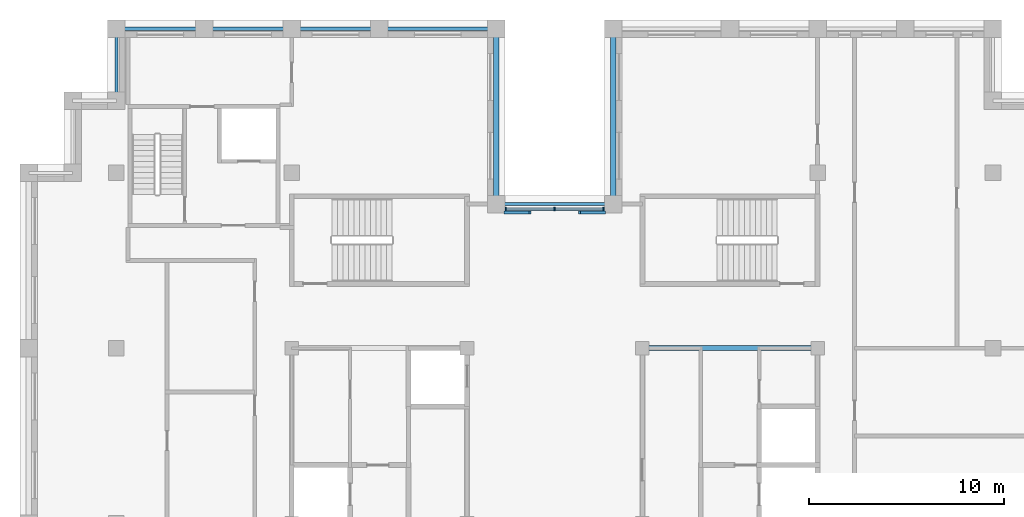
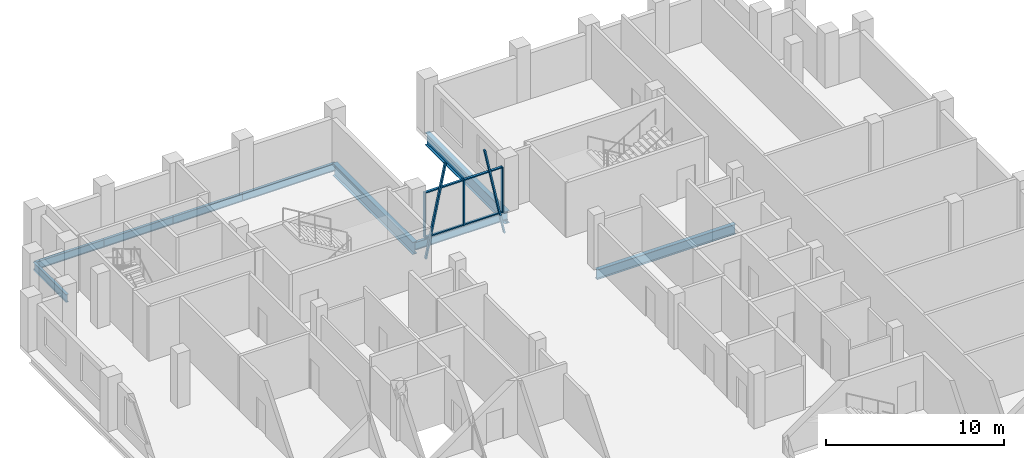
# One storey, part 4 of 13: 9 beams, 9 members, 1 element without a shape of its own.
"""IFC4 building model written with IfcOpenShell, lengths in metres."""

from ifc_helpers import new_model, si_unit, direction, frame, origin, origin_2d, place, context, subcontext, project, spatial, rectangle, i_section, extrude, material, layer, layer_set, material_profile, profile_set, type_object, element, aggregate, save


model = new_model("IFC4")

# Units and contexts
model_context = context("Model", 3, precision=1e-05, world=origin(), true_north=direction((0.0, 1.0)))
body_context = subcontext(model_context, "Body", "Model", "MODEL_VIEW")
ifc_project = project(units=[si_unit("LENGTHUNIT", "METRE"), si_unit("AREAUNIT", "SQUARE_METRE"), si_unit("VOLUMEUNIT", "CUBIC_METRE"), si_unit("PLANEANGLEUNIT", "RADIAN"), si_unit("MASSUNIT", "GRAM", prefix="KILO")], contexts=[model_context])

# Site, building, storey
site_placement = place(None, origin())
site = spatial("IfcSite", under=ifc_project, at=site_placement, CompositionType="ELEMENT")
building_placement = place(site_placement, origin())
building = spatial("IfcBuilding", under=site, at=building_placement, Name="Corbelhall Arena Tower", CompositionType="ELEMENT")
storey_placement = place(building_placement, frame((0.0, 0.0, 342.0)))
storey = spatial("IfcBuildingStorey", under=building, at=storey_placement, Name="L75", CompositionType="ELEMENT", Elevation=342.0)

# Curtain wall, members
ifc_material_1 = material(Name="Aluminium black anodised", Category="aluminium")
ifc_layer = layer(ifc_material_1, 0.199951171875)
ifc_layer_set = layer_set([ifc_layer], Name="EV-CW1 Slot back wall")
curtain_wall_type = type_object("IfcCurtainWallType", Name="EV-CW1 Slot back wall", PredefinedType="NOTDEFINED", material=ifc_layer_set)
curtain_wall_placement = place(storey_placement, origin())
curtain_wall = element("IfcCurtainWall", 1, at=curtain_wall_placement, inside=storey, type_object=curtain_wall_type, Name="Curtain wall CW1", PredefinedType="NOTDEFINED")
ifc_material_profile_1 = material_profile(ifc_material_1, rectangle(XDim=0.199951171875, YDim=0.074951171875, at=origin_2d()))
ifc_profile_set_1 = profile_set([ifc_material_profile_1], Name="Aluminium black anodised")
member_type_1 = type_object("IfcMemberType", Name="EV-CW1-MULLION", PredefinedType="MULLION", material=ifc_profile_set_1)
member_1_placement = place(storey_placement, frame((2.512451171875, 16.14990234375, 0.0), z_axis=(0.0, 0.0, 1.0), x_axis=(0.0, -1.0, 0.0)))
member_1 = element("IfcMember", 2, at=member_1_placement, type_object=member_type_1, Name="CW1 mullion 1", PredefinedType="MULLION", context=body_context, shape_type="SweptSolid", body=[
    extrude(rectangle(XDim=0.199951171875, YDim=0.074951171875, at=origin_2d()), origin(), (0.0, 0.0, 1.0), 3.139892578125),
])
member_2_placement = place(storey_placement, frame((0.0, 16.14990234375, 0.0), z_axis=(0.0, 0.0, 1.0), x_axis=(0.0, -1.0, 0.0)))
member_2 = element("IfcMember", 3, at=member_2_placement, type_object=member_type_1, Name="CW1 mullion 2", PredefinedType="MULLION", context=body_context, shape_type="SweptSolid", body=[
    extrude(rectangle(XDim=0.199951171875, YDim=0.074951171875, at=origin_2d()), origin(), (0.0, 0.0, 1.0), 3.139892578125),
])
member_3_placement = place(storey_placement, frame((-2.512451171875, 16.14990234375, 0.0), z_axis=(0.0, 0.0, 1.0), x_axis=(0.0, -1.0, 0.0)))
member_3 = element("IfcMember", 4, at=member_3_placement, type_object=member_type_1, Name="CW1 mullion 3", PredefinedType="MULLION", context=body_context, shape_type="SweptSolid", body=[
    extrude(rectangle(XDim=0.199951171875, YDim=0.074951171875, at=origin_2d()), origin(), (0.0, 0.0, 1.0), 3.139892578125),
])
ifc_material_profile_2 = material_profile(ifc_material_1, rectangle(XDim=0.14990234375, YDim=0.074951171875, at=origin_2d()))
ifc_profile_set_2 = profile_set([ifc_material_profile_2], Name="Aluminium black anodised")
member_type_2 = type_object("IfcMemberType", Name="EV-CW1-TRANSOM", PredefinedType="USERDEFINED", material=ifc_profile_set_2)
member_4_placement = place(storey_placement, frame((2.47509765625, 16.14990234375, 0.03759765625), z_axis=(-1.0, 0.0, 0.0), x_axis=(0.0, -1.0, 0.0)))
member_4 = element("IfcMember", 5, at=member_4_placement, type_object=member_type_2, Name="CW1 transom 1.1", ObjectType="transom", PredefinedType="USERDEFINED", context=body_context, shape_type="SweptSolid", body=[
    extrude(rectangle(XDim=0.14990234375, YDim=0.074951171875, at=origin_2d()), origin(), (0.0, 0.0, 1.0), 2.4375),
])
member_5_placement = place(storey_placement, frame((2.47509765625, 16.14990234375, 3.1025390625), z_axis=(-1.0, 0.0, 0.0), x_axis=(0.0, -1.0, 0.0)))
member_5 = element("IfcMember", 6, at=member_5_placement, type_object=member_type_2, Name="CW1 transom 1.2", ObjectType="transom", PredefinedType="USERDEFINED", context=body_context, shape_type="SweptSolid", body=[
    extrude(rectangle(XDim=0.14990234375, YDim=0.074951171875, at=origin_2d()), origin(), (0.0, 0.0, 1.0), 2.4375),
])
member_6_placement = place(storey_placement, frame((-0.03759765625, 16.14990234375, 0.03759765625), z_axis=(-1.0, 0.0, 0.0), x_axis=(0.0, -1.0, 0.0)))
member_6 = element("IfcMember", 7, at=member_6_placement, type_object=member_type_2, Name="CW1 transom 2.1", ObjectType="transom", PredefinedType="USERDEFINED", context=body_context, shape_type="SweptSolid", body=[
    extrude(rectangle(XDim=0.14990234375, YDim=0.074951171875, at=origin_2d()), origin(), (0.0, 0.0, 1.0), 2.4375),
])
member_7_placement = place(storey_placement, frame((-0.03759765625, 16.14990234375, 3.1025390625), z_axis=(-1.0, 0.0, 0.0), x_axis=(0.0, -1.0, 0.0)))
member_7 = element("IfcMember", 8, at=member_7_placement, type_object=member_type_2, Name="CW1 transom 2.2", ObjectType="transom", PredefinedType="USERDEFINED", context=body_context, shape_type="SweptSolid", body=[
    extrude(rectangle(XDim=0.14990234375, YDim=0.074951171875, at=origin_2d()), origin(), (0.0, 0.0, 1.0), 2.4375),
])
aggregate(curtain_wall, [member_1, member_2, member_3, member_4, member_5, member_6, member_7])

# Members
ifc_material_profile_3 = material_profile(ifc_material_1, rectangle(XDim=0.159912109375, YDim=0.10009765625, at=origin_2d()))
ifc_profile_set_3 = profile_set([ifc_material_profile_3], Name="Aluminium black anodised")
member_type_3 = type_object("IfcMemberType", Name="EV-TR1 Tracery bar", PredefinedType="USERDEFINED", material=ifc_profile_set_3)
for number, where, z_axis, x_axis, name in (
    (9, (2.550048828125, 15.969970703125, -1.307373046875), (-0.204144671158, 0.0, 0.978940730197), (0.0, -1.0, 0.0), "Tracery bar"),
    (10, (-1.27490234375, 15.969970703125, 4.807373046875), (-0.204144671158, 0.0, -0.978940730197), (0.0, -1.0, 0.0), "Tracery bar"),
):
    element("IfcMember", number, at=place(storey_placement, frame(where, z_axis=z_axis, x_axis=x_axis)), inside=storey, type_object=member_type_3, Name=name, ObjectType="TRACERY", PredefinedType="USERDEFINED", context=body_context, shape_type="SweptSolid", body=[
        extrude(rectangle(XDim=0.159912109375, YDim=0.10009765625, at=origin_2d()), origin(), (0.0, 0.0, 1.0), 6.246337890625),
    ])

# Beams
ifc_material_2 = material(Name="Steel ASTM A992 Gr50", Category="steel")
ifc_material_profile_4 = material_profile(ifc_material_2, i_section(OverallWidth=0.25390625, OverallDepth=0.67822265625, WebThickness=0.01171875, FlangeThickness=0.016357421875, at=origin_2d()))
ifc_profile_set_4 = profile_set([ifc_material_profile_4], Name="Steel ASTM A992 Gr50")
beam_type_1 = type_object("IfcBeamType", Name="ST-BEAM-W27x84", PredefinedType="BEAM", material=ifc_profile_set_4)
beam_1_placement = place(storey_placement, frame((4.5, 9.0, -0.59912109375), z_axis=(1.0, 0.0, 0.0), x_axis=(0.0, 1.0, 0.0)))
element("IfcBeam", 11, at=beam_1_placement, inside=storey, type_object=beam_type_1, Name="Beam CEE 12", PredefinedType="BEAM", context=body_context, shape_type="SweptSolid", body=[
    extrude(i_section(OverallWidth=0.25390625, OverallDepth=0.67822265625, WebThickness=0.01171875, FlangeThickness=0.016357421875, at=origin_2d()), origin(), (0.0, 0.0, 1.0), 9.0),
])
ifc_material_profile_5 = material_profile(ifc_material_2, i_section(OverallWidth=0.16650390625, OverallDepth=0.535888671875, WebThickness=0.01025390625, FlangeThickness=0.0166015625, at=origin_2d()))
ifc_profile_set_5 = profile_set([ifc_material_profile_5], Name="Steel ASTM A992 Gr50")
beam_type_2 = type_object("IfcBeamType", Name="ST-SPANDREL-W21x57", PredefinedType="SPANDREL", material=ifc_profile_set_5)
beam_2_placement = place(storey_placement, frame((-9.0, 25.39990234375, -0.528076171875), z_axis=(1.0, 0.0, 0.0), x_axis=(0.0, 1.0, 0.0)))
element("IfcBeam", 12, at=beam_2_placement, inside=storey, type_object=beam_type_2, Name="Beam SP 12", PredefinedType="SPANDREL", context=body_context, shape_type="SweptSolid", body=[
    extrude(i_section(OverallWidth=0.16650390625, OverallDepth=0.535888671875, WebThickness=0.01025390625, FlangeThickness=0.0166015625, at=origin_2d()), origin(), (0.0, 0.0, 1.0), 6.0),
])
for number, where, z_axis, x_axis, name in (
    (13, (-13.5, 25.39990234375, -0.528076171875), (1.0, 0.0, 0.0), (0.0, 1.0, 0.0), "Beam SP 13"),
    (14, (-18.0, 25.39990234375, -0.528076171875), (1.0, 0.0, 0.0), (0.0, 1.0, 0.0), "Beam SP 14"),
    (15, (-22.5, 25.39990234375, -0.528076171875), (1.0, 0.0, 0.0), (0.0, 1.0, 0.0), "Beam SP 15"),
):
    element("IfcBeam", number, at=place(storey_placement, frame(where, z_axis=z_axis, x_axis=x_axis)), inside=storey, type_object=beam_type_2, Name=name, PredefinedType="SPANDREL", context=body_context, shape_type="SweptSolid", body=[
        extrude(i_section(OverallWidth=0.16650390625, OverallDepth=0.535888671875, WebThickness=0.01025390625, FlangeThickness=0.0166015625, at=origin_2d()), origin(), (0.0, 0.0, 1.0), 4.5),
    ])
beam_3_placement = place(storey_placement, frame((-3.0, 16.39990234375, -0.528076171875), z_axis=(1.0, 0.0, 0.0), x_axis=(0.0, 1.0, 0.0)))
element("IfcBeam", 16, at=beam_3_placement, inside=storey, type_object=beam_type_2, Name="Beam SP 32", PredefinedType="SPANDREL", context=body_context, shape_type="SweptSolid", body=[
    extrude(i_section(OverallWidth=0.16650390625, OverallDepth=0.535888671875, WebThickness=0.01025390625, FlangeThickness=0.0166015625, at=origin_2d()), origin(), (0.0, 0.0, 1.0), 6.0),
])
beam_4_placement = place(storey_placement, frame((-22.5, 21.699951171875, -0.528076171875), z_axis=(0.0, 1.0, 0.0), x_axis=(-1.0, 0.0, 0.0)))
element("IfcBeam", 17, at=beam_4_placement, inside=storey, type_object=beam_type_2, Name="Beam SP 38", PredefinedType="SPANDREL", context=body_context, shape_type="SweptSolid", body=[
    extrude(i_section(OverallWidth=0.16650390625, OverallDepth=0.535888671875, WebThickness=0.01025390625, FlangeThickness=0.0166015625, at=origin_2d()), origin(), (0.0, 0.0, 1.0), 3.699951171875),
])
ifc_material_profile_6 = material_profile(ifc_material_2, i_section(OverallWidth=0.2919921875, OverallDepth=0.845703125, WebThickness=0.015380859375, FlangeThickness=0.0244140625, at=origin_2d()))
ifc_profile_set_6 = profile_set([ifc_material_profile_6], Name="Steel ASTM A992 Gr50")
beam_type_3 = type_object("IfcBeamType", Name="ST-SPANDREL-W33x141", PredefinedType="SPANDREL", material=ifc_profile_set_6)
for number, where, z_axis, x_axis, name in (
    (18, (-3.0, 25.39990234375, -0.682861328125), (0.0, -1.0, 0.0), (1.0, 0.0, 0.0), "Beam SP 11"),
    (19, (3.0, 16.39990234375, -0.682861328125), (0.0, 1.0, 0.0), (-1.0, 0.0, 0.0), "Beam SP 31"),
):
    element("IfcBeam", number, at=place(storey_placement, frame(where, z_axis=z_axis, x_axis=x_axis)), inside=storey, type_object=beam_type_3, Name=name, PredefinedType="SPANDREL", context=body_context, shape_type="SweptSolid", body=[
        extrude(i_section(OverallWidth=0.2919921875, OverallDepth=0.845703125, WebThickness=0.015380859375, FlangeThickness=0.0244140625, at=origin_2d()), origin(), (0.0, 0.0, 1.0), 9.0),
    ])

save(model, "model.ifc")
